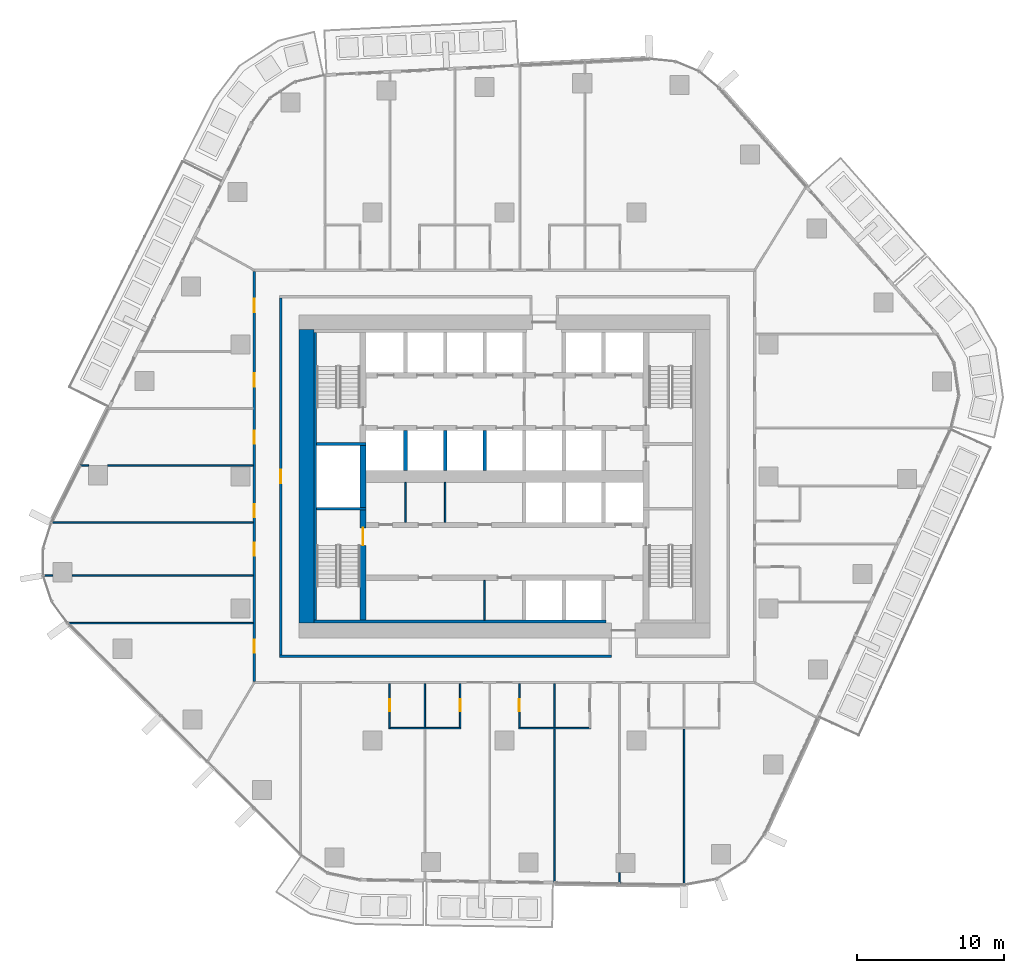
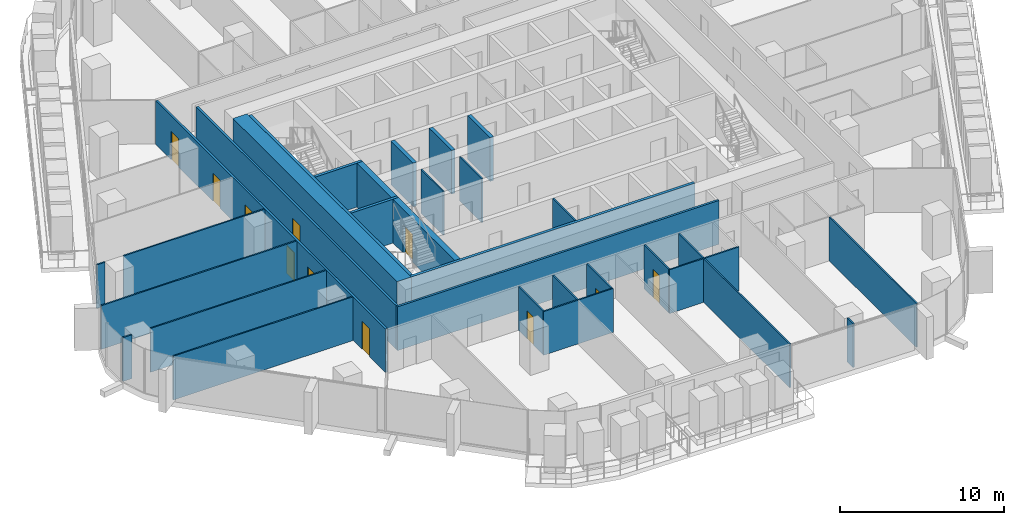
# One storey, part 12 of 24: 32 walls, 11 doors, 11 openings.
"""IFC4 building model written with IfcOpenShell, lengths in metres."""

from ifc_helpers import new_model, si_unit, direction, frame, frame_2d, origin, place, context, subcontext, project, spatial, rectangle, extrude, material, layer, layer_set, type_object, element, fill, save


model = new_model("IFC4")

# Units and contexts
model_context = context("Model", 3, precision=1e-05, world=origin(), true_north=direction((0.0, 1.0)))
body_context = subcontext(model_context, "Body", "Model", "MODEL_VIEW")
ifc_project = project(units=[si_unit("LENGTHUNIT", "METRE"), si_unit("AREAUNIT", "SQUARE_METRE"), si_unit("VOLUMEUNIT", "CUBIC_METRE"), si_unit("PLANEANGLEUNIT", "RADIAN"), si_unit("MASSUNIT", "GRAM", prefix="KILO")], contexts=[model_context])

# Site, building, storey
site_placement = place(None, origin())
site = spatial("IfcSite", under=ifc_project, at=site_placement, CompositionType="ELEMENT")
building_placement = place(site_placement, origin())
building = spatial("IfcBuilding", under=site, at=building_placement, Name="Dongbaek Canopy Tower", CompositionType="ELEMENT")
storey_placement = place(building_placement, frame((0.0, 0.0, 98.89990234375)))
storey = spatial("IfcBuildingStorey", under=building, at=storey_placement, Name="L20", CompositionType="ELEMENT", Elevation=98.89990234375)

# Walls
ifc_material_1 = material(Name="Concrete C60/75", Category="concrete")
ifc_layer_1 = layer(ifc_material_1, 1.0)
ifc_layer_set_1 = layer_set([ifc_layer_1], Name="Core outer wall 1000 Concrete C60/75")
wall_type_1 = type_object("IfcWallType", Name="Core outer wall 1000 Concrete C60/75", PredefinedType="SHEAR", material=ifc_layer_set_1)
wall_1_placement = place(storey_placement, frame((-13.5, -10.0, 0.0), z_axis=(0.0, 0.0, 1.0), x_axis=(0.0, 1.0, 0.0)))
element("IfcWall", 1, at=wall_1_placement, inside=storey, type_object=wall_type_1, Name="Core wall", PredefinedType="SHEAR", context=body_context, shape_type="SweptSolid", body=[
    extrude(rectangle(XDim=20.0, YDim=1.0, at=frame_2d((10.0, 0.0))), origin(), (0.0, 0.0, 1.0), 3.25),
])
ifc_material_2 = material(Name="Concrete C60/75", Category="concrete")
ifc_layer_2 = layer(ifc_material_2, 0.199951171875)
ifc_layer_set_2 = layer_set([ifc_layer_2], Name="Core wall lining 200 Concrete C60/75")
wall_type_2 = type_object("IfcWallType", Name="Core wall lining 200 Concrete C60/75", PredefinedType="SHEAR", material=ifc_layer_set_2)
wall_2_placement = place(storey_placement, frame((6.89990234375, -9.89990234375, 0.0), z_axis=(0.0, 0.0, 1.0), x_axis=(-1.0, 0.0, 0.0)))
element("IfcWall", 2, at=wall_2_placement, inside=storey, type_object=wall_type_2, Name="Core wall lining", PredefinedType="SHEAR", context=body_context, shape_type="SweptSolid", body=[
    extrude(rectangle(XDim=19.89990234375, YDim=0.199951171875, at=frame_2d((9.949951171875, 0.0))), origin(), (0.0, 0.0, 1.0), 3.25),
])
wall_3_placement = place(storey_placement, frame((-12.89990234375, -9.800048828125, 0.0), z_axis=(0.0, 0.0, 1.0), x_axis=(0.0, 1.0, 0.0)))
element("IfcWall", 3, at=wall_3_placement, inside=storey, type_object=wall_type_2, Name="Core wall lining", PredefinedType="SHEAR", context=body_context, shape_type="SweptSolid", body=[
    extrude(rectangle(XDim=19.60009765625, YDim=0.199951171875, at=frame_2d((9.800048828125, 0.0))), origin(), (0.0, 0.0, 1.0), 3.25),
])
ifc_material_3 = material(Name="Gypsum board partition, steel stud, 2 x 15 mm fire board", Category="steel")
ifc_layer_3 = layer(ifc_material_3, 0.14990234375)
ifc_layer_set_3 = layer_set([ifc_layer_3], Name="Fire-rated partition 150 gypsum board")
wall_type_3 = type_object("IfcWallType", Name="Fire-rated partition 150 gypsum board", PredefinedType="PARTITIONING", material=ifc_layer_set_3)
wall_4_placement = place(storey_placement, frame((-15.324951171875, -12.25, 0.0), z_axis=(0.0, 0.0, 1.0), x_axis=(1.0, 0.0, 0.0)))
element("IfcWall", 4, at=wall_4_placement, inside=storey, type_object=wall_type_3, Name="Corridor partition", PredefinedType="PARTITIONING", context=body_context, shape_type="SweptSolid", body=[
    extrude(rectangle(XDim=22.599853515625, YDim=0.14990234375, at=frame_2d((11.2998046875, 0.0))), origin(), (0.0, 0.0, 1.0), 3.25),
])

# Wall, opening, door
wall_5_placement = place(storey_placement, frame((-15.25, 12.175048828125, 0.0), z_axis=(0.0, 0.0, 1.0), x_axis=(0.0, -1.0, 0.0)))
wall_5 = element("IfcWall", 5, at=wall_5_placement, inside=storey, type_object=wall_type_3, Name="Corridor partition", PredefinedType="PARTITIONING", context=body_context, shape_type="SweptSolid", body=[
    extrude(rectangle(XDim=24.35009765625, YDim=0.14990234375, at=frame_2d((12.175048828125, 0.0))), origin(), (0.0, 0.0, 1.0), 3.25),
])
opening_1_placement = place(wall_5_placement, frame((11.72509765625, 0.0, 0.0)))
opening_1 = element("IfcOpeningElement", 6, at=opening_1_placement, cuts=wall_5, Name="Opening L20-D039", PredefinedType="OPENING", context=body_context, shape_type="SweptSolid", body=[
    extrude(rectangle(XDim=0.89990234375, YDim=2.10009765625, at=frame_2d((0.449951171875, 1.050048828125))), frame((0.0, 0.0849609375, 0.0), z_axis=(0.0, -1.0, 0.0), x_axis=(1.0, 0.0, 0.0)), (0.0, 0.0, 1.0), 0.169921875),
])
ifc_material_4 = material(Name="Timber veneered door leaf", Category="wood")
door_type_1 = type_object("IfcDoorType", Name="Room door 900 x 2100", OperationType="SINGLE_SWING_LEFT", PredefinedType="DOOR", material=ifc_material_4)
door_1_placement = place(opening_1_placement, origin())
door_1 = element("IfcDoor", 7, at=door_1_placement, inside=storey, type_object=door_type_1, Name="Door L20-D039", OperationType="SINGLE_SWING_RIGHT", OverallHeight=2.10009765625, OverallWidth=0.89990234375, PredefinedType="DOOR", context=body_context, shape_type="SweptSolid", body=[
    extrude(rectangle(XDim=0.89990234375, YDim=2.10009765625, at=frame_2d((0.449951171875, 1.050048828125))), frame((0.0, 0.02490234375, 0.0), z_axis=(0.0, -1.0, 0.0), x_axis=(1.0, 0.0, 0.0)), (0.0, 0.0, 1.0), 0.050048828125),
])
fill(opening_1, door_1)

# Wall, openings, doors
wall_6_placement = place(storey_placement, frame((-17.050048828125, -13.97509765625, 0.0), z_axis=(0.0, 0.0, 1.0), x_axis=(0.0, 1.0, 0.0)))
wall_6 = element("IfcWall", 8, at=wall_6_placement, inside=storey, type_object=wall_type_3, Name="Corridor partition", PredefinedType="PARTITIONING", context=body_context, shape_type="SweptSolid", body=[
    extrude(rectangle(XDim=27.9501953125, YDim=0.14990234375, at=frame_2d((13.97509765625, 0.0))), origin(), (0.0, 0.0, 1.0), 3.25),
])
opening_2_placement = place(wall_6_placement, frame((11.194580078125, 0.0, 0.0)))
opening_2 = element("IfcOpeningElement", 9, at=opening_2_placement, cuts=wall_6, Name="Opening L20-D001", PredefinedType="OPENING", context=body_context, shape_type="SweptSolid", body=[
    extrude(rectangle(XDim=0.89990234375, YDim=2.10009765625, at=frame_2d((0.449951171875, 1.050048828125))), frame((0.0, 0.0849609375, 0.0), z_axis=(0.0, -1.0, 0.0), x_axis=(1.0, 0.0, 0.0)), (0.0, 0.0, 1.0), 0.169921875),
])
opening_3_placement = place(wall_6_placement, frame((8.56982421875, 0.0, 0.0)))
opening_3 = element("IfcOpeningElement", 10, at=opening_3_placement, cuts=wall_6, Name="Opening L20-D002", PredefinedType="OPENING", context=body_context, shape_type="SweptSolid", body=[
    extrude(rectangle(XDim=0.89990234375, YDim=2.10009765625, at=frame_2d((0.449951171875, 1.050048828125))), frame((0.0, 0.0849609375, 0.0), z_axis=(0.0, -1.0, 0.0), x_axis=(1.0, 0.0, 0.0)), (0.0, 0.0, 1.0), 0.169921875),
])
opening_4_placement = place(wall_6_placement, frame((1.9560546875, 0.0, 0.0)))
opening_4 = element("IfcOpeningElement", 11, at=opening_4_placement, cuts=wall_6, Name="Opening L20-D003", PredefinedType="OPENING", context=body_context, shape_type="SweptSolid", body=[
    extrude(rectangle(XDim=0.89990234375, YDim=2.10009765625, at=frame_2d((0.449951171875, 1.050048828125))), frame((0.0, 0.0849609375, 0.0), z_axis=(0.0, -1.0, 0.0), x_axis=(1.0, 0.0, 0.0)), (0.0, 0.0, 1.0), 0.169921875),
])
opening_5_placement = place(wall_6_placement, frame((25.180908203125, 0.0, 0.0)))
opening_5 = element("IfcOpeningElement", 12, at=opening_5_placement, cuts=wall_6, Name="Opening L20-D036", PredefinedType="OPENING", context=body_context, shape_type="SweptSolid", body=[
    extrude(rectangle(XDim=0.89990234375, YDim=2.10009765625, at=frame_2d((0.449951171875, 1.050048828125))), frame((0.0, 0.0849609375, 0.0), z_axis=(0.0, -1.0, 0.0), x_axis=(1.0, 0.0, 0.0)), (0.0, 0.0, 1.0), 0.169921875),
])
opening_6_placement = place(wall_6_placement, frame((20.100830078125, 0.0, 0.0)))
opening_6 = element("IfcOpeningElement", 13, at=opening_6_placement, cuts=wall_6, Name="Opening L20-D037", PredefinedType="OPENING", context=body_context, shape_type="SweptSolid", body=[
    extrude(rectangle(XDim=0.89990234375, YDim=2.10009765625, at=frame_2d((0.449951171875, 1.050048828125))), frame((0.0, 0.0849609375, 0.0), z_axis=(0.0, -1.0, 0.0), x_axis=(1.0, 0.0, 0.0)), (0.0, 0.0, 1.0), 0.169921875),
])
opening_7_placement = place(wall_6_placement, frame((16.205810546875, 0.0, 0.0)))
opening_7 = element("IfcOpeningElement", 14, at=opening_7_placement, cuts=wall_6, Name="Opening L20-D038", PredefinedType="OPENING", context=body_context, shape_type="SweptSolid", body=[
    extrude(rectangle(XDim=0.89990234375, YDim=2.10009765625, at=frame_2d((0.449951171875, 1.050048828125))), frame((0.0, 0.0849609375, 0.0), z_axis=(0.0, -1.0, 0.0), x_axis=(1.0, 0.0, 0.0)), (0.0, 0.0, 1.0), 0.169921875),
])
door_2_placement = place(opening_2_placement, origin())
door_2 = element("IfcDoor", 15, at=door_2_placement, inside=storey, type_object=door_type_1, Name="Door L20-D001", OperationType="SINGLE_SWING_RIGHT", OverallHeight=2.10009765625, OverallWidth=0.89990234375, PredefinedType="DOOR", context=body_context, shape_type="SweptSolid", body=[
    extrude(rectangle(XDim=0.89990234375, YDim=2.10009765625, at=frame_2d((0.449951171875, 1.050048828125))), frame((0.0, 0.02490234375, 0.0), z_axis=(0.0, -1.0, 0.0), x_axis=(1.0, 0.0, 0.0)), (0.0, 0.0, 1.0), 0.050048828125),
])
fill(opening_2, door_2)
door_3_placement = place(opening_3_placement, origin())
door_3 = element("IfcDoor", 16, at=door_3_placement, inside=storey, type_object=door_type_1, Name="Door L20-D002", OperationType="SINGLE_SWING_LEFT", OverallHeight=2.10009765625, OverallWidth=0.89990234375, PredefinedType="DOOR", context=body_context, shape_type="SweptSolid", body=[
    extrude(rectangle(XDim=0.89990234375, YDim=2.10009765625, at=frame_2d((0.449951171875, 1.050048828125))), frame((0.0, 0.02490234375, 0.0), z_axis=(0.0, -1.0, 0.0), x_axis=(1.0, 0.0, 0.0)), (0.0, 0.0, 1.0), 0.050048828125),
])
fill(opening_3, door_3)
door_4_placement = place(opening_4_placement, origin())
door_4 = element("IfcDoor", 17, at=door_4_placement, inside=storey, type_object=door_type_1, Name="Door L20-D003", OperationType="SINGLE_SWING_LEFT", OverallHeight=2.10009765625, OverallWidth=0.89990234375, PredefinedType="DOOR", context=body_context, shape_type="SweptSolid", body=[
    extrude(rectangle(XDim=0.89990234375, YDim=2.10009765625, at=frame_2d((0.449951171875, 1.050048828125))), frame((0.0, 0.02490234375, 0.0), z_axis=(0.0, -1.0, 0.0), x_axis=(1.0, 0.0, 0.0)), (0.0, 0.0, 1.0), 0.050048828125),
])
fill(opening_4, door_4)
door_5_placement = place(opening_5_placement, origin())
door_5 = element("IfcDoor", 18, at=door_5_placement, inside=storey, type_object=door_type_1, Name="Door L20-D036", OperationType="SINGLE_SWING_LEFT", OverallHeight=2.10009765625, OverallWidth=0.89990234375, PredefinedType="DOOR", context=body_context, shape_type="SweptSolid", body=[
    extrude(rectangle(XDim=0.89990234375, YDim=2.10009765625, at=frame_2d((0.449951171875, 1.050048828125))), frame((0.0, 0.02490234375, 0.0), z_axis=(0.0, -1.0, 0.0), x_axis=(1.0, 0.0, 0.0)), (0.0, 0.0, 1.0), 0.050048828125),
])
fill(opening_5, door_5)
door_6_placement = place(opening_6_placement, origin())
door_6 = element("IfcDoor", 19, at=door_6_placement, inside=storey, type_object=door_type_1, Name="Door L20-D037", OperationType="SINGLE_SWING_RIGHT", OverallHeight=2.10009765625, OverallWidth=0.89990234375, PredefinedType="DOOR", context=body_context, shape_type="SweptSolid", body=[
    extrude(rectangle(XDim=0.89990234375, YDim=2.10009765625, at=frame_2d((0.449951171875, 1.050048828125))), frame((0.0, 0.02490234375, 0.0), z_axis=(0.0, -1.0, 0.0), x_axis=(1.0, 0.0, 0.0)), (0.0, 0.0, 1.0), 0.050048828125),
])
fill(opening_6, door_6)
door_7_placement = place(opening_7_placement, origin())
door_7 = element("IfcDoor", 20, at=door_7_placement, inside=storey, type_object=door_type_1, Name="Door L20-D038", OperationType="SINGLE_SWING_LEFT", OverallHeight=2.10009765625, OverallWidth=0.89990234375, PredefinedType="DOOR", context=body_context, shape_type="SweptSolid", body=[
    extrude(rectangle(XDim=0.89990234375, YDim=2.10009765625, at=frame_2d((0.449951171875, 1.050048828125))), frame((0.0, 0.02490234375, 0.0), z_axis=(0.0, -1.0, 0.0), x_axis=(1.0, 0.0, 0.0)), (0.0, 0.0, 1.0), 0.050048828125),
])
fill(opening_7, door_7)

# Walls
ifc_material_5 = material(Name="Concrete C40/50", Category="concrete")
ifc_layer_4 = layer(ifc_material_5, 0.25)
ifc_layer_set_4 = layer_set([ifc_layer_4], Name="Lift shaft wall 250 Concrete C40/50")
wall_type_4 = type_object("IfcWallType", Name="Lift shaft wall 250 Concrete C40/50", PredefinedType="SOLIDWALL", material=ifc_layer_set_4)
for number, where, z_axis, x_axis, name in (
    (21, (-1.35009765625, 0.39990234375, 0.0), (0.0, 0.0, 1.0), (0.0, 1.0, 0.0), "Lift shaft wall"),
    (22, (-4.050048828125, 0.39990234375, 0.0), (0.0, 0.0, 1.0), (0.0, 1.0, 0.0), "Lift shaft wall"),
    (23, (-6.75, 0.39990234375, 0.0), (0.0, 0.0, 1.0), (0.0, 1.0, 0.0), "Lift shaft wall"),
):
    element("IfcWall", number, at=place(storey_placement, frame(where, z_axis=z_axis, x_axis=x_axis)), inside=storey, type_object=wall_type_4, Name=name, PredefinedType="SOLIDWALL", context=body_context, shape_type="SweptSolid", body=[
        extrude(rectangle(XDim=2.72509765625, YDim=0.25, at=frame_2d((1.362548828125, 0.0))), origin(), (0.0, 0.0, 1.0), 3.25),
    ])
ifc_material_6 = material(Name="Gypsum board partition, steel stud, 2 x 12.5 mm board", Category="steel")
ifc_layer_5 = layer(ifc_material_6, 0.10009765625)
ifc_layer_set_5 = layer_set([ifc_layer_5], Name="Partition 100 gypsum board")
wall_type_5 = type_object("IfcWallType", Name="Partition 100 gypsum board", PredefinedType="PARTITIONING", material=ifc_layer_set_5)
wall_7_placement = place(storey_placement, frame((-7.873779296875, -17.14990234375, 0.0), z_axis=(0.0, 0.0, 1.0), x_axis=(1.0, 0.0, 0.0)))
element("IfcWall", 24, at=wall_7_placement, inside=storey, type_object=wall_type_5, Name="Partition", PredefinedType="PARTITIONING", context=body_context, shape_type="SweptSolid", body=[
    extrude(rectangle(XDim=4.900146484375, YDim=0.10009765625, at=frame_2d((2.4501953125, 0.0))), origin(), (0.0, 0.0, 1.0), 3.25),
])
wall_8_placement = place(storey_placement, frame((0.9599609375, -17.14990234375, 0.0), z_axis=(0.0, 0.0, 1.0), x_axis=(1.0, 0.0, 0.0)))
element("IfcWall", 25, at=wall_8_placement, inside=storey, type_object=wall_type_5, Name="Partition", PredefinedType="PARTITIONING", context=body_context, shape_type="SweptSolid", body=[
    extrude(rectangle(XDim=4.89990234375, YDim=0.10009765625, at=frame_2d((2.449951171875, 0.0))), origin(), (0.0, 0.0, 1.0), 3.25),
])
wall_9_placement = place(storey_placement, frame((-29.74169921875, -9.993896484375, 0.0), z_axis=(0.0, 0.0, 1.0), x_axis=(1.0, 0.0, 0.0)))
element("IfcWall", 26, at=wall_9_placement, inside=storey, type_object=wall_type_5, Name="Partition", PredefinedType="PARTITIONING", context=body_context, shape_type="SweptSolid", body=[
    extrude(rectangle(XDim=12.61669921875, YDim=0.10009765625, at=frame_2d((6.308349609375, 0.0))), origin(), (0.0, 0.0, 1.0), 3.25),
])
wall_10_placement = place(storey_placement, frame((-31.416259765625, -6.7548828125, 0.0), z_axis=(0.0, 0.0, 1.0), x_axis=(1.0, 0.0, 0.0)))
element("IfcWall", 27, at=wall_10_placement, inside=storey, type_object=wall_type_5, Name="Partition", PredefinedType="PARTITIONING", context=body_context, shape_type="SweptSolid", body=[
    extrude(rectangle(XDim=0.641357421875, YDim=0.10009765625, at=frame_2d((0.32080078125, 0.0))), origin(), (0.0, 0.0, 1.0), 3.25),
])
wall_11_placement = place(storey_placement, frame((-29.47509765625, -6.7548828125, 0.0), z_axis=(0.0, 0.0, 1.0), x_axis=(1.0, 0.0, 0.0)))
element("IfcWall", 28, at=wall_11_placement, inside=storey, type_object=wall_type_5, Name="Partition", PredefinedType="PARTITIONING", context=body_context, shape_type="SweptSolid", body=[
    extrude(rectangle(XDim=12.35009765625, YDim=0.10009765625, at=frame_2d((6.175048828125, 0.0))), origin(), (0.0, 0.0, 1.0), 3.25),
])
wall_12_placement = place(storey_placement, frame((-30.86474609375, -3.155029296875, 0.0), z_axis=(0.0, 0.0, 1.0), x_axis=(1.0, 0.0, 0.0)))
element("IfcWall", 29, at=wall_12_placement, inside=storey, type_object=wall_type_5, Name="Partition", PredefinedType="PARTITIONING", context=body_context, shape_type="SweptSolid", body=[
    extrude(rectangle(XDim=13.73974609375, YDim=0.10009765625, at=frame_2d((6.869873046875, 0.0))), origin(), (0.0, 0.0, 1.0), 3.25),
])
wall_13_placement = place(storey_placement, frame((-28.91650390625, 0.73291015625, 0.0), z_axis=(0.0, 0.0, 1.0), x_axis=(1.0, 0.0, 0.0)))
element("IfcWall", 30, at=wall_13_placement, inside=storey, type_object=wall_type_5, Name="Partition", PredefinedType="PARTITIONING", context=body_context, shape_type="SweptSolid", body=[
    extrude(rectangle(XDim=0.573486328125, YDim=0.10009765625, at=frame_2d((0.28662109375, 0.0))), origin(), (0.0, 0.0, 1.0), 3.25),
])
wall_14_placement = place(storey_placement, frame((-27.04296875, 0.73291015625, 0.0), z_axis=(0.0, 0.0, 1.0), x_axis=(1.0, 0.0, 0.0)))
element("IfcWall", 31, at=wall_14_placement, inside=storey, type_object=wall_type_5, Name="Partition", PredefinedType="PARTITIONING", context=body_context, shape_type="SweptSolid", body=[
    extrude(rectangle(XDim=9.91796875, YDim=0.10009765625, at=frame_2d((4.958984375, 0.0))), origin(), (0.0, 0.0, 1.0), 3.25),
])
wall_15_placement = place(storey_placement, frame((12.23388671875, -27.80078125, 0.0), z_axis=(0.0, 0.0, 1.0), x_axis=(0.0, 1.0, 0.0)))
element("IfcWall", 32, at=wall_15_placement, inside=storey, type_object=wall_type_5, Name="Partition", PredefinedType="PARTITIONING", context=body_context, shape_type="SweptSolid", body=[
    extrude(rectangle(XDim=10.600830078125, YDim=0.10009765625, at=frame_2d((5.30029296875, 0.0))), origin(), (0.0, 0.0, 1.0), 3.25),
])
wall_16_placement = place(storey_placement, frame((7.826904296875, -27.733154296875, 0.0), z_axis=(0.0, 0.0, 1.0), x_axis=(0.0, 1.0, 0.0)))
element("IfcWall", 33, at=wall_16_placement, inside=storey, type_object=wall_type_5, Name="Partition", PredefinedType="PARTITIONING", context=body_context, shape_type="SweptSolid", body=[
    extrude(rectangle(XDim=0.734130859375, YDim=0.10009765625, at=frame_2d((0.3671875, 0.0))), origin(), (0.0, 0.0, 1.0), 3.25),
])
wall_17_placement = place(storey_placement, frame((3.409912109375, -27.6650390625, 0.0), z_axis=(0.0, 0.0, 1.0), x_axis=(0.0, 1.0, 0.0)))
element("IfcWall", 34, at=wall_17_placement, inside=storey, type_object=wall_type_5, Name="Partition", PredefinedType="PARTITIONING", context=body_context, shape_type="SweptSolid", body=[
    extrude(rectangle(XDim=10.465087890625, YDim=0.10009765625, at=frame_2d((5.232421875, 0.0))), origin(), (0.0, 0.0, 1.0), 3.25),
])
wall_18_placement = place(storey_placement, frame((3.409912109375, -17.10009765625, 0.0), z_axis=(0.0, 0.0, 1.0), x_axis=(0.0, 1.0, 0.0)))
element("IfcWall", 35, at=wall_18_placement, inside=storey, type_object=wall_type_5, Name="Partition", PredefinedType="PARTITIONING", context=body_context, shape_type="SweptSolid", body=[
    extrude(rectangle(XDim=2.97509765625, YDim=0.10009765625, at=frame_2d((1.487548828125, 0.0))), origin(), (0.0, 0.0, 1.0), 3.25),
])

# Wall, opening, door
wall_19_placement = place(storey_placement, frame((1.010009765625, -14.125, 0.0), z_axis=(0.0, 0.0, 1.0), x_axis=(0.0, -1.0, 0.0)))
wall_19 = element("IfcWall", 36, at=wall_19_placement, inside=storey, type_object=wall_type_5, Name="Partition", PredefinedType="PARTITIONING", context=body_context, shape_type="SweptSolid", body=[
    extrude(rectangle(XDim=2.97509765625, YDim=0.10009765625, at=frame_2d((1.487548828125, 0.0))), origin(), (0.0, 0.0, 1.0), 3.25),
])
opening_8_placement = place(wall_19_placement, frame((1.074951171875, 0.0, 0.0)))
opening_8 = element("IfcOpeningElement", 37, at=opening_8_placement, cuts=wall_19, Name="Opening L20-D009", PredefinedType="OPENING", context=body_context, shape_type="SweptSolid", body=[
    extrude(rectangle(XDim=0.800048828125, YDim=2.10009765625, at=frame_2d((0.39990234375, 1.050048828125))), frame((0.0, 0.06005859375, 0.0), z_axis=(0.0, -1.0, 0.0), x_axis=(1.0, 0.0, 0.0)), (0.0, 0.0, 1.0), 0.1201171875),
])
ifc_material_7 = material(Name="Timber veneered door leaf", Category="wood")
door_type_2 = type_object("IfcDoorType", Name="En-suite door 800 x 2100", OperationType="SINGLE_SWING_LEFT", PredefinedType="DOOR", material=ifc_material_7)
door_8_placement = place(opening_8_placement, origin())
door_8 = element("IfcDoor", 38, at=door_8_placement, inside=storey, type_object=door_type_2, Name="Door L20-D009", OperationType="SINGLE_SWING_RIGHT", OverallHeight=2.10009765625, OverallWidth=0.800048828125, PredefinedType="DOOR", context=body_context, shape_type="SweptSolid", body=[
    extrude(rectangle(XDim=0.800048828125, YDim=2.10009765625, at=frame_2d((0.39990234375, 1.050048828125))), frame((0.0, 0.02490234375, 0.0), z_axis=(0.0, -1.0, 0.0), x_axis=(1.0, 0.0, 0.0)), (0.0, 0.0, 1.0), 0.050048828125),
])
fill(opening_8, door_8)

wall_20_placement = place(storey_placement, frame((-3.02392578125, -17.10009765625, 0.0), z_axis=(0.0, 0.0, 1.0), x_axis=(0.0, 1.0, 0.0)))
wall_20 = element("IfcWall", 39, at=wall_20_placement, inside=storey, type_object=wall_type_5, Name="Partition", PredefinedType="PARTITIONING", context=body_context, shape_type="SweptSolid", body=[
    extrude(rectangle(XDim=2.97509765625, YDim=0.10009765625, at=frame_2d((1.487548828125, 0.0))), origin(), (0.0, 0.0, 1.0), 3.25),
])
opening_9_placement = place(wall_20_placement, frame((1.10009765625, 0.0, 0.0)))
opening_9 = element("IfcOpeningElement", 40, at=opening_9_placement, cuts=wall_20, Name="Opening L20-D007", PredefinedType="OPENING", context=body_context, shape_type="SweptSolid", body=[
    extrude(rectangle(XDim=0.800048828125, YDim=2.10009765625, at=frame_2d((0.39990234375, 1.050048828125))), frame((0.0, 0.06005859375, 0.0), z_axis=(0.0, -1.0, 0.0), x_axis=(1.0, 0.0, 0.0)), (0.0, 0.0, 1.0), 0.1201171875),
])
door_9_placement = place(opening_9_placement, origin())
door_9 = element("IfcDoor", 41, at=door_9_placement, inside=storey, type_object=door_type_2, Name="Door L20-D007", OperationType="SINGLE_SWING_LEFT", OverallHeight=2.10009765625, OverallWidth=0.800048828125, PredefinedType="DOOR", context=body_context, shape_type="SweptSolid", body=[
    extrude(rectangle(XDim=0.800048828125, YDim=2.10009765625, at=frame_2d((0.39990234375, 1.050048828125))), frame((0.0, 0.02490234375, 0.0), z_axis=(0.0, -1.0, 0.0), x_axis=(1.0, 0.0, 0.0)), (0.0, 0.0, 1.0), 0.050048828125),
])
fill(opening_9, door_9)

# Wall
wall_21_placement = place(storey_placement, frame((-5.424072265625, -17.10009765625, 0.0), z_axis=(0.0, 0.0, 1.0), x_axis=(0.0, 1.0, 0.0)))
element("IfcWall", 42, at=wall_21_placement, inside=storey, type_object=wall_type_5, Name="Partition", PredefinedType="PARTITIONING", context=body_context, shape_type="SweptSolid", body=[
    extrude(rectangle(XDim=2.97509765625, YDim=0.10009765625, at=frame_2d((1.487548828125, 0.0))), origin(), (0.0, 0.0, 1.0), 3.25),
])

# Wall, opening, door
wall_22_placement = place(storey_placement, frame((-7.823974609375, -14.125, 0.0), z_axis=(0.0, 0.0, 1.0), x_axis=(0.0, -1.0, 0.0)))
wall_22 = element("IfcWall", 43, at=wall_22_placement, inside=storey, type_object=wall_type_5, Name="Partition", PredefinedType="PARTITIONING", context=body_context, shape_type="SweptSolid", body=[
    extrude(rectangle(XDim=3.02490234375, YDim=0.10009765625, at=frame_2d((1.512451171875, 0.0))), origin(), (0.0, 0.0, 1.0), 3.25),
])
opening_10_placement = place(wall_22_placement, frame((1.074951171875, 0.0, 0.0)))
opening_10 = element("IfcOpeningElement", 44, at=opening_10_placement, cuts=wall_22, Name="Opening L20-D005", PredefinedType="OPENING", context=body_context, shape_type="SweptSolid", body=[
    extrude(rectangle(XDim=0.800048828125, YDim=2.10009765625, at=frame_2d((0.39990234375, 1.050048828125))), frame((0.0, 0.06005859375, 0.0), z_axis=(0.0, -1.0, 0.0), x_axis=(1.0, 0.0, 0.0)), (0.0, 0.0, 1.0), 0.1201171875),
])
door_10_placement = place(opening_10_placement, origin())
door_10 = element("IfcDoor", 45, at=door_10_placement, inside=storey, type_object=door_type_2, Name="Door L20-D005", OperationType="SINGLE_SWING_RIGHT", OverallHeight=2.10009765625, OverallWidth=0.800048828125, PredefinedType="DOOR", context=body_context, shape_type="SweptSolid", body=[
    extrude(rectangle(XDim=0.800048828125, YDim=2.10009765625, at=frame_2d((0.39990234375, 1.050048828125))), frame((0.0, 0.02490234375, 0.0), z_axis=(0.0, -1.0, 0.0), x_axis=(1.0, 0.0, 0.0)), (0.0, 0.0, 1.0), 0.050048828125),
])
fill(opening_10, door_10)

# Walls
for number, where, z_axis, x_axis, name in (
    (46, (-1.35009765625, -9.800048828125, 0.0), (0.0, 0.0, 1.0), (0.0, 1.0, 0.0), "Core partition"),
    (47, (-4.050048828125, -3.125, 0.0), (0.0, 0.0, 1.0), (0.0, 1.0, 0.0), "Core partition"),
    (48, (-6.75, -3.125, 0.0), (0.0, 0.0, 1.0), (0.0, 1.0, 0.0), "Core partition"),
):
    element("IfcWall", number, at=place(storey_placement, frame(where, z_axis=z_axis, x_axis=x_axis)), inside=storey, type_object=wall_type_5, Name=name, PredefinedType="PARTITIONING", context=body_context, shape_type="SweptSolid", body=[
        extrude(rectangle(XDim=2.72509765625, YDim=0.10009765625, at=frame_2d((1.362548828125, 0.0))), origin(), (0.0, 0.0, 1.0), 3.25),
    ])
ifc_material_8 = material(Name="Concrete C60/75", Category="concrete")
ifc_layer_6 = layer(ifc_material_8, 0.199951171875)
ifc_layer_set_6 = layer_set([ifc_layer_6], Name="Riser wall 200 Concrete C60/75")
wall_type_6 = type_object("IfcWallType", Name="Riser wall 200 Concrete C60/75", PredefinedType="SHEAR", material=ifc_layer_set_6)
for number, where, z_axis, x_axis, name in (
    (49, (-9.449951171875, 2.199951171875, 0.0), (0.0, 0.0, 1.0), (-1.0, 0.0, 0.0), "Riser wall"),
    (50, (-9.449951171875, -2.199951171875, 0.0), (0.0, 0.0, 1.0), (-1.0, 0.0, 0.0), "Riser wall"),
):
    element("IfcWall", number, at=place(storey_placement, frame(where, z_axis=z_axis, x_axis=x_axis)), inside=storey, type_object=wall_type_6, Name=name, PredefinedType="SHEAR", context=body_context, shape_type="SweptSolid", body=[
        extrude(rectangle(XDim=3.35009765625, YDim=0.199951171875, at=frame_2d((1.675048828125, 0.0))), origin(), (0.0, 0.0, 1.0), 3.25),
    ])

# Wall, opening, door
ifc_material_9 = material(Name="Concrete C60/75", Category="concrete")
ifc_layer_7 = layer(ifc_material_9, 0.39990234375)
ifc_layer_set_7 = layer_set([ifc_layer_7], Name="Stair wall 400 Concrete C60/75")
wall_type_7 = type_object("IfcWallType", Name="Stair wall 400 Concrete C60/75", PredefinedType="SHEAR", material=ifc_layer_set_7)
wall_23_placement = place(storey_placement, frame((-9.64990234375, -9.800048828125, 0.0), z_axis=(0.0, 0.0, 1.0), x_axis=(0.0, 1.0, 0.0)))
wall_23 = element("IfcWall", 51, at=wall_23_placement, inside=storey, type_object=wall_type_7, Name="Stair wall", PredefinedType="SHEAR", context=body_context, shape_type="SweptSolid", body=[
    extrude(rectangle(XDim=7.5, YDim=0.39990234375, at=frame_2d((3.75, 0.0))), origin(), (0.0, 0.0, 1.0), 3.25),
])
opening_11_placement = place(wall_23_placement, frame((5.10009765625, 0.0, 0.0)))
opening_11 = element("IfcOpeningElement", 52, at=opening_11_placement, cuts=wall_23, Name="Opening L20-D068", PredefinedType="OPENING", context=body_context, shape_type="SweptSolid", body=[
    extrude(rectangle(XDim=1.199951171875, YDim=2.10009765625, at=frame_2d((0.60009765625, 1.050048828125))), frame((0.0, 0.2099609375, 0.0), z_axis=(0.0, -1.0, 0.0), x_axis=(1.0, 0.0, 0.0)), (0.0, 0.0, 1.0), 0.419921875),
])
ifc_material_10 = material(Name="Steel", Category="steel")
door_type_3 = type_object("IfcDoorType", Name="Stair door 1200 x 2100", OperationType="SINGLE_SWING_LEFT", PredefinedType="DOOR", material=ifc_material_10)
door_11_placement = place(opening_11_placement, origin())
door_11 = element("IfcDoor", 53, at=door_11_placement, inside=storey, type_object=door_type_3, Name="Stair D door", OperationType="SINGLE_SWING_LEFT", OverallHeight=2.10009765625, OverallWidth=1.199951171875, PredefinedType="DOOR", context=body_context, shape_type="SweptSolid", body=[
    extrude(rectangle(XDim=1.199951171875, YDim=2.10009765625, at=frame_2d((0.60009765625, 1.050048828125))), frame((0.0, 0.02490234375, 0.0), z_axis=(0.0, -1.0, 0.0), x_axis=(1.0, 0.0, 0.0)), (0.0, 0.0, 1.0), 0.050048828125),
])
fill(opening_11, door_11)

# Wall
wall_24_placement = place(storey_placement, frame((-9.64990234375, -2.10009765625, 0.0), z_axis=(0.0, 0.0, 1.0), x_axis=(0.0, 1.0, 0.0)))
element("IfcWall", 54, at=wall_24_placement, inside=storey, type_object=wall_type_7, Name="Stair wall", PredefinedType="SHEAR", context=body_context, shape_type="SweptSolid", body=[
    extrude(rectangle(XDim=4.2001953125, YDim=0.39990234375, at=frame_2d((2.10009765625, 0.0))), origin(), (0.0, 0.0, 1.0), 3.25),
])

save(model, "model.ifc")
